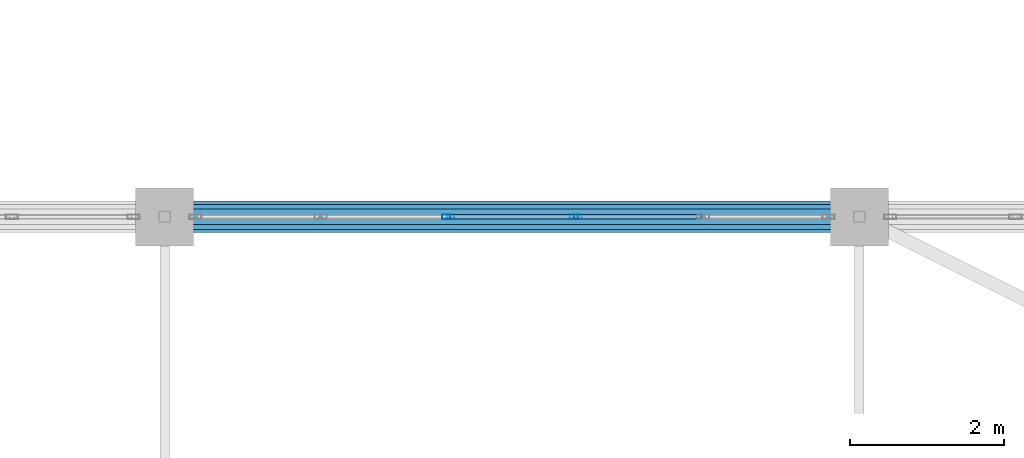
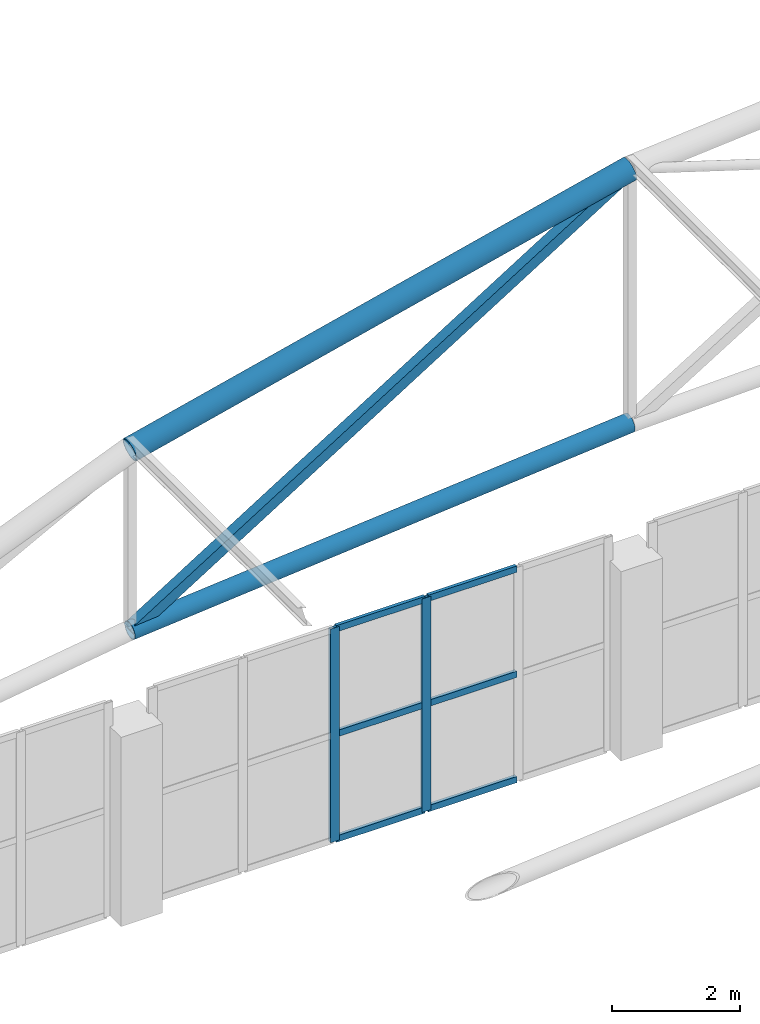
# One storey, part 104 of 167: 11 members, 1 element without a shape of its own.
"""IFC4 building model written with IfcOpenShell, lengths in metres."""

from ifc_helpers import new_model, si_unit, direction, frame, origin, origin_2d, place, context, subcontext, project, spatial, hollow_rectangle, hollow_circle, extrude, material, layer, layer_set, material_profile, profile_set, type_object, element, aggregate, save


model = new_model("IFC4")

# Units and contexts
model_context = context("Model", 3, precision=1e-05, world=origin(), true_north=direction((0.0, 1.0)))
body_context = subcontext(model_context, "Body", "Model", "MODEL_VIEW")
ifc_project = project(units=[si_unit("LENGTHUNIT", "METRE"), si_unit("AREAUNIT", "SQUARE_METRE"), si_unit("VOLUMEUNIT", "CUBIC_METRE"), si_unit("PLANEANGLEUNIT", "RADIAN"), si_unit("MASSUNIT", "GRAM", prefix="KILO")], contexts=[model_context])

# Site, building, storey
site_placement = place(None, origin())
site = spatial("IfcSite", under=ifc_project, at=site_placement, CompositionType="ELEMENT")
building_placement = place(site_placement, origin())
building = spatial("IfcBuilding", under=site, at=building_placement, Name="Dornveld Trade and Exhibition Forum", CompositionType="ELEMENT")
storey_placement = place(building_placement, frame((0.0, 0.0, 16.800048828125)))
storey = spatial("IfcBuildingStorey", under=building, at=storey_placement, Name="L03", CompositionType="ELEMENT", Elevation=16.800048828125)

# Curtain wall, members
ifc_material_1 = material(Name="Dark-bronze anodised aluminium and low-E glass", Category="aluminium")
ifc_layer = layer(ifc_material_1, 0.18994140625)
ifc_layer_set = layer_set([ifc_layer], Name="Dark-bronze anodised aluminium and low-E glass")
curtain_wall_type = type_object("IfcCurtainWallType", Name="CW-SYS-16", PredefinedType="USERDEFINED", material=ifc_layer_set)
curtain_wall_placement = place(storey_placement, origin())
curtain_wall = element("IfcCurtainWall", 1, at=curtain_wall_placement, inside=storey, type_object=curtain_wall_type, Name="L03 unitised curtain wall 34", ObjectType="UNITISED_CURTAIN_WALL", PredefinedType="USERDEFINED")
ifc_material_2 = material(Name="Dark-bronze anodised aluminium", Category="aluminium")
ifc_material_profile_1 = material_profile(ifc_material_2, hollow_rectangle(XDim=0.06005859375, YDim=0.159912109375, WallThickness=0.00390625, at=origin_2d()), Name="RHS 160x60x4")
ifc_profile_set_1 = profile_set([ifc_material_profile_1], Name="Dark-bronze anodised aluminium")
member_type_1 = type_object("IfcMemberType", Name="CW-MUL-160", PredefinedType="MULLION", material=ifc_profile_set_1)
member_1_placement = place(storey_placement, frame((41.32568359375, 135.0, -0.004150390625), z_axis=(0.0, 0.0, 1.0), x_axis=(0.0, -1.0, 0.0)))
member_1 = element("IfcMember", 2, at=member_1_placement, type_object=member_type_1, Name="CW-16 mullion 3", PredefinedType="MULLION", context=body_context, shape_type="SweptSolid", body=[
    extrude(hollow_rectangle(XDim=0.06005859375, YDim=0.159912109375, WallThickness=0.00390625, at=origin_2d()), origin(), (0.0, 0.0, 1.0), 4.064208984375),
])
member_2_placement = place(storey_placement, frame((39.67431640625, 135.0, -0.004150390625), z_axis=(0.0, 0.0, 1.0), x_axis=(0.0, -1.0, 0.0)))
member_2 = element("IfcMember", 3, at=member_2_placement, type_object=member_type_1, Name="CW-16 mullion 4", PredefinedType="MULLION", context=body_context, shape_type="SweptSolid", body=[
    extrude(hollow_rectangle(XDim=0.06005859375, YDim=0.159912109375, WallThickness=0.00390625, at=origin_2d()), origin(), (0.0, 0.0, 1.0), 4.064208984375),
])
ifc_material_3 = material(Name="Dark-bronze anodised aluminium", Category="aluminium")
ifc_material_profile_2 = material_profile(ifc_material_3, hollow_rectangle(XDim=0.06005859375, YDim=0.1201171875, WallThickness=0.00390625, at=origin_2d()), Name="RHS 120x60x4")
ifc_profile_set_2 = profile_set([ifc_material_profile_2], Name="Dark-bronze anodised aluminium")
member_type_2 = type_object("IfcMemberType", Name="CW-TRN-120", PredefinedType="USERDEFINED", material=ifc_profile_set_2)
member_3_placement = place(storey_placement, frame((42.947509765625, 135.0, 0.02587890625), z_axis=(-1.0, 0.0, 0.0), x_axis=(0.0, -1.0, 0.0)))
member_3 = element("IfcMember", 4, at=member_3_placement, type_object=member_type_2, Name="CW-16 transom 2.1", ObjectType="TRANSOM", PredefinedType="USERDEFINED", context=body_context, shape_type="SweptSolid", body=[
    extrude(hollow_rectangle(XDim=0.06005859375, YDim=0.1201171875, WallThickness=0.00390625, at=origin_2d()), origin(), (0.0, 0.0, 1.0), 1.591796875),
])
member_4_placement = place(storey_placement, frame((42.947509765625, 135.0, 2.02783203125), z_axis=(-1.0, 0.0, 0.0), x_axis=(0.0, -1.0, 0.0)))
member_4 = element("IfcMember", 5, at=member_4_placement, type_object=member_type_2, Name="CW-16 transom 2.2", ObjectType="TRANSOM", PredefinedType="USERDEFINED", context=body_context, shape_type="SweptSolid", body=[
    extrude(hollow_rectangle(XDim=0.06005859375, YDim=0.1201171875, WallThickness=0.00390625, at=origin_2d()), origin(), (0.0, 0.0, 1.0), 1.591796875),
])
member_5_placement = place(storey_placement, frame((42.947509765625, 135.0, 4.030029296875), z_axis=(-1.0, 0.0, 0.0), x_axis=(0.0, -1.0, 0.0)))
member_5 = element("IfcMember", 6, at=member_5_placement, type_object=member_type_2, Name="CW-16 transom 2.3", ObjectType="TRANSOM", PredefinedType="USERDEFINED", context=body_context, shape_type="SweptSolid", body=[
    extrude(hollow_rectangle(XDim=0.06005859375, YDim=0.1201171875, WallThickness=0.00390625, at=origin_2d()), origin(), (0.0, 0.0, 1.0), 1.591796875),
])
member_6_placement = place(storey_placement, frame((41.2958984375, 135.0, 0.02587890625), z_axis=(-1.0, 0.0, 0.0), x_axis=(0.0, -1.0, 0.0)))
member_6 = element("IfcMember", 7, at=member_6_placement, type_object=member_type_2, Name="CW-16 transom 3.1", ObjectType="TRANSOM", PredefinedType="USERDEFINED", context=body_context, shape_type="SweptSolid", body=[
    extrude(hollow_rectangle(XDim=0.06005859375, YDim=0.1201171875, WallThickness=0.00390625, at=origin_2d()), origin(), (0.0, 0.0, 1.0), 1.591796875),
])
member_7_placement = place(storey_placement, frame((41.2958984375, 135.0, 2.02783203125), z_axis=(-1.0, 0.0, 0.0), x_axis=(0.0, -1.0, 0.0)))
member_7 = element("IfcMember", 8, at=member_7_placement, type_object=member_type_2, Name="CW-16 transom 3.2", ObjectType="TRANSOM", PredefinedType="USERDEFINED", context=body_context, shape_type="SweptSolid", body=[
    extrude(hollow_rectangle(XDim=0.06005859375, YDim=0.1201171875, WallThickness=0.00390625, at=origin_2d()), origin(), (0.0, 0.0, 1.0), 1.591796875),
])
member_8_placement = place(storey_placement, frame((41.2958984375, 135.0, 4.030029296875), z_axis=(-1.0, 0.0, 0.0), x_axis=(0.0, -1.0, 0.0)))
member_8 = element("IfcMember", 9, at=member_8_placement, type_object=member_type_2, Name="CW-16 transom 3.3", ObjectType="TRANSOM", PredefinedType="USERDEFINED", context=body_context, shape_type="SweptSolid", body=[
    extrude(hollow_rectangle(XDim=0.06005859375, YDim=0.1201171875, WallThickness=0.00390625, at=origin_2d()), origin(), (0.0, 0.0, 1.0), 1.591796875),
])
aggregate(curtain_wall, [member_1, member_2, member_3, member_4, member_5, member_6, member_7, member_8])

# Members
ifc_material_4 = material(Name="Steel S355J2", Category="steel")
ifc_material_profile_3 = material_profile(ifc_material_4, hollow_circle(Radius=0.161865234375, WallThickness=0.01611328125, at=origin_2d()), Name="CHS 323.9x16")
ifc_profile_set_3 = profile_set([ifc_material_profile_3], Name="Steel S355J2")
member_type_3 = type_object("IfcMemberType", Name="MEM-ARCH-BC", PredefinedType="CHORD", material=ifc_profile_set_3)
member_9_placement = place(storey_placement, frame((36.0, 135.0, 5.283203125), z_axis=(0.996072164085, 0.0, 0.088545151956), x_axis=(0.0, 1.0, 0.0)))
element("IfcMember", 10, at=member_9_placement, inside=storey, type_object=member_type_3, Name="H3 truss 12 tie chord 2", PredefinedType="CHORD", context=body_context, shape_type="SweptSolid", body=[
    extrude(hollow_circle(Radius=0.161865234375, WallThickness=0.01611328125, at=origin_2d()), origin(), (0.0, 0.0, 1.0), 9.035400390625),
])
ifc_material_5 = material(Name="Steel S355J2", Category="steel")
ifc_material_profile_4 = material_profile(ifc_material_5, hollow_circle(Radius=0.203125, WallThickness=0.02001953125, at=origin_2d()), Name="CHS 406.4x20")
ifc_profile_set_4 = profile_set([ifc_material_profile_4], Name="Steel S355J2")
member_type_4 = type_object("IfcMemberType", Name="MEM-ARCH-TC", PredefinedType="CHORD", material=ifc_profile_set_4)
member_10_placement = place(storey_placement, frame((36.0, 135.0, 8.716552734375), z_axis=(0.971394143806, 0.0, 0.237472982421), x_axis=(0.0, 1.0, 0.0)))
element("IfcMember", 11, at=member_10_placement, inside=storey, type_object=member_type_4, Name="H3 truss 12 top chord 2", PredefinedType="CHORD", context=body_context, shape_type="SweptSolid", body=[
    extrude(hollow_circle(Radius=0.203125, WallThickness=0.02001953125, at=origin_2d()), origin(), (0.0, 0.0, 1.0), 9.26513671875),
])
ifc_material_6 = material(Name="Steel S355J2", Category="steel")
ifc_material_profile_5 = material_profile(ifc_material_6, hollow_rectangle(XDim=0.199951171875, YDim=0.199951171875, WallThickness=0.010009765625, at=origin_2d()), Name="SHS 200x200x10")
ifc_profile_set_5 = profile_set([ifc_material_profile_5], Name="Steel S355J2")
member_type_5 = type_object("IfcMemberType", Name="MEM-ARCH-WEB", PredefinedType="BRACE", material=ifc_profile_set_5)
member_11_placement = place(storey_placement, frame((36.0, 135.0, 5.283203125), z_axis=(0.84763640931, 0.0, 0.53057753214), x_axis=(0.0, 1.0, 0.0)))
element("IfcMember", 12, at=member_11_placement, inside=storey, type_object=member_type_5, Name="H3 truss 12 web 2", PredefinedType="BRACE", context=body_context, shape_type="SweptSolid", body=[
    extrude(hollow_rectangle(XDim=0.199951171875, YDim=0.199951171875, WallThickness=0.010009765625, at=origin_2d()), origin(), (0.0, 0.0, 1.0), 10.61767578125),
])

save(model, "model.ifc")
